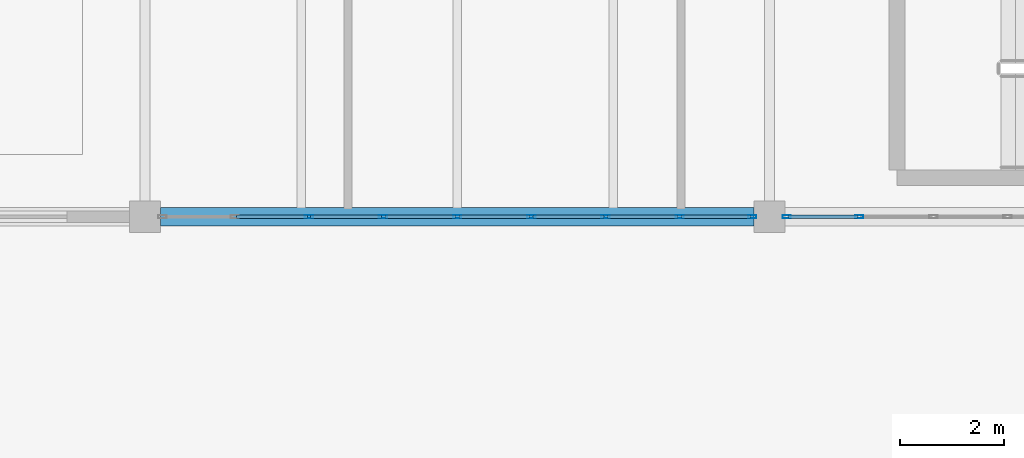
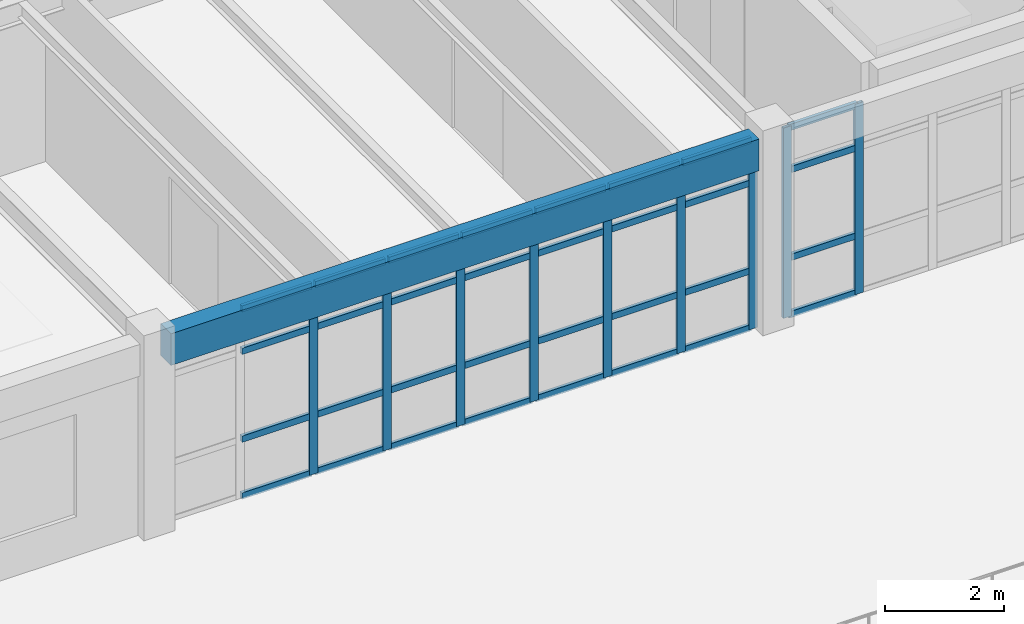
# One storey, part 2 of 37: 41 members, 1 beam, 2 elements without a shape of their own.
"""IFC4 building model written with IfcOpenShell, lengths in metres."""

from ifc_helpers import new_model, si_unit, direction, frame, origin, origin_2d, place, context, subcontext, project, spatial, rectangle, hollow_rectangle, extrude, material, layer, layer_set, material_profile, profile_set, type_object, element, aggregate, save


model = new_model("IFC4")

# Units and contexts
model_context = context("Model", 3, precision=1e-05, world=origin(), true_north=direction((0.0, 1.0)))
body_context = subcontext(model_context, "Body", "Model", "MODEL_VIEW")
ifc_project = project(units=[si_unit("LENGTHUNIT", "METRE"), si_unit("AREAUNIT", "SQUARE_METRE"), si_unit("VOLUMEUNIT", "CUBIC_METRE"), si_unit("PLANEANGLEUNIT", "RADIAN"), si_unit("MASSUNIT", "GRAM", prefix="KILO")], contexts=[model_context])

# Site, building, storey
site_placement = place(None, origin())
site = spatial("IfcSite", under=ifc_project, at=site_placement, CompositionType="ELEMENT")
building_placement = place(site_placement, origin())
building = spatial("IfcBuilding", under=site, at=building_placement, Name="Pandanus Reach Market Hall", CompositionType="ELEMENT")
storey_placement = place(building_placement, frame((0.0, 0.0, 14.39990234375)))
storey = spatial("IfcBuildingStorey", under=building, at=storey_placement, Name="L03", CompositionType="ELEMENT", Elevation=14.39990234375)

# Beam
ifc_material_1 = material(Name="Concrete N40 (40 MPa)", Category="concrete")
ifc_material_profile_1 = material_profile(ifc_material_1, rectangle(XDim=0.35009765625, YDim=0.64990234375, at=origin_2d()), Name="RC350x650", Category="LoadBearing")
ifc_profile_set_1 = profile_set([ifc_material_profile_1], Name="Concrete N40 (40 MPa)")
beam_type = type_object("IfcBeamType", Name="BM-RC350-E", PredefinedType="SPANDREL", material=ifc_profile_set_1)
beam_placement = place(storey_placement, frame((156.298095703125, 28.800048828125, 3.635009765625), z_axis=(1.0, 0.0, 0.0), x_axis=(0.0, 1.0, 0.0)))
element("IfcBeam", 1, at=beam_placement, inside=storey, type_object=beam_type, Name="Framing beam BM-RC350-E L03.537", PredefinedType="SPANDREL", context=body_context, shape_type="SweptSolid", body=[
    extrude(rectangle(XDim=0.35009765625, YDim=0.64990234375, at=origin_2d()), origin(), (0.0, 0.0, 1.0), 11.40380859375),
])

# Curtain wall, members
ifc_material_2 = material(Name="Bronze anodised aluminium and low-E glass", Category="aluminium")
ifc_layer = layer(ifc_material_2, 0.159912109375, Name="CW-30")
ifc_layer_set = layer_set([ifc_layer], Name="Bronze anodised aluminium and low-E glass")
curtain_wall_type = type_object("IfcCurtainWallType", Name="CW-30", PredefinedType="NOTDEFINED", material=ifc_layer_set)
curtain_wall_1_placement = place(storey_placement, origin())
curtain_wall_1 = element("IfcCurtainWall", 2, at=curtain_wall_1_placement, inside=storey, type_object=curtain_wall_type, Name="Glazed curtain wall CW-30 CW-0116", PredefinedType="NOTDEFINED")
ifc_material_3 = material(Name="Bronze anodised aluminium", Category="aluminium")
ifc_material_profile_2 = material_profile(ifc_material_3, hollow_rectangle(XDim=0.06494140625, YDim=0.159912109375, WallThickness=0.00390625, at=origin_2d()), Name="ALU65x160", Category="LoadBearing")
ifc_profile_set_2 = profile_set([ifc_material_profile_2], Name="Bronze anodised aluminium")
member_type_1 = type_object("IfcMemberType", Name="CW-M1", PredefinedType="MULLION", material=ifc_profile_set_2)
member_1_placement = place(storey_placement, frame((159.14990234375, 28.800048828125, 0.0), z_axis=(0.0, 0.0, 1.0), x_axis=(0.0, 1.0, 0.0)))
member_1 = element("IfcMember", 3, at=member_1_placement, type_object=member_type_1, Name="CW-30 mullion 3", PredefinedType="MULLION", context=body_context, shape_type="SweptSolid", body=[
    extrude(hollow_rectangle(XDim=0.06494140625, YDim=0.159912109375, WallThickness=0.00390625, at=origin_2d()), origin(), (0.0, 0.0, 1.0), 3.900146484375),
])
member_2_placement = place(storey_placement, frame((160.574951171875, 28.800048828125, 0.0), z_axis=(0.0, 0.0, 1.0), x_axis=(0.0, 1.0, 0.0)))
member_2 = element("IfcMember", 4, at=member_2_placement, type_object=member_type_1, Name="CW-30 mullion 4", PredefinedType="MULLION", context=body_context, shape_type="SweptSolid", body=[
    extrude(hollow_rectangle(XDim=0.06494140625, YDim=0.159912109375, WallThickness=0.00390625, at=origin_2d()), origin(), (0.0, 0.0, 1.0), 3.900146484375),
])
member_3_placement = place(storey_placement, frame((162.0, 28.800048828125, 0.0), z_axis=(0.0, 0.0, 1.0), x_axis=(0.0, 1.0, 0.0)))
member_3 = element("IfcMember", 5, at=member_3_placement, type_object=member_type_1, Name="CW-30 mullion 5", PredefinedType="MULLION", context=body_context, shape_type="SweptSolid", body=[
    extrude(hollow_rectangle(XDim=0.06494140625, YDim=0.159912109375, WallThickness=0.00390625, at=origin_2d()), origin(), (0.0, 0.0, 1.0), 3.900146484375),
])
member_4_placement = place(storey_placement, frame((163.425048828125, 28.800048828125, 0.0), z_axis=(0.0, 0.0, 1.0), x_axis=(0.0, 1.0, 0.0)))
member_4 = element("IfcMember", 6, at=member_4_placement, type_object=member_type_1, Name="CW-30 mullion 6", PredefinedType="MULLION", context=body_context, shape_type="SweptSolid", body=[
    extrude(hollow_rectangle(XDim=0.06494140625, YDim=0.159912109375, WallThickness=0.00390625, at=origin_2d()), origin(), (0.0, 0.0, 1.0), 3.900146484375),
])
member_5_placement = place(storey_placement, frame((164.85009765625, 28.800048828125, 0.0), z_axis=(0.0, 0.0, 1.0), x_axis=(0.0, 1.0, 0.0)))
member_5 = element("IfcMember", 7, at=member_5_placement, type_object=member_type_1, Name="CW-30 mullion 7", PredefinedType="MULLION", context=body_context, shape_type="SweptSolid", body=[
    extrude(hollow_rectangle(XDim=0.06494140625, YDim=0.159912109375, WallThickness=0.00390625, at=origin_2d()), origin(), (0.0, 0.0, 1.0), 3.900146484375),
])
member_6_placement = place(storey_placement, frame((166.27490234375, 28.800048828125, 0.0), z_axis=(0.0, 0.0, 1.0), x_axis=(0.0, 1.0, 0.0)))
member_6 = element("IfcMember", 8, at=member_6_placement, type_object=member_type_1, Name="CW-30 mullion 8", PredefinedType="MULLION", context=body_context, shape_type="SweptSolid", body=[
    extrude(hollow_rectangle(XDim=0.06494140625, YDim=0.159912109375, WallThickness=0.00390625, at=origin_2d()), origin(), (0.0, 0.0, 1.0), 3.900146484375),
])
member_7_placement = place(storey_placement, frame((167.66748046875, 28.800048828125, 0.0), z_axis=(0.0, 0.0, 1.0), x_axis=(0.0, 1.0, 0.0)))
member_7 = element("IfcMember", 9, at=member_7_placement, type_object=member_type_1, Name="CW-30 mullion 9", PredefinedType="MULLION", context=body_context, shape_type="SweptSolid", body=[
    extrude(hollow_rectangle(XDim=0.06494140625, YDim=0.159912109375, WallThickness=0.00390625, at=origin_2d()), origin(), (0.0, 0.0, 1.0), 3.900146484375),
])

curtain_wall_2_placement = place(storey_placement, origin())
curtain_wall_2 = element("IfcCurtainWall", 10, at=curtain_wall_2_placement, inside=storey, type_object=curtain_wall_type, Name="Glazed curtain wall CW-30 CW-0117", PredefinedType="NOTDEFINED")
member_8_placement = place(storey_placement, frame((168.33251953125, 28.800048828125, 0.0), z_axis=(0.0, 0.0, 1.0), x_axis=(0.0, 1.0, 0.0)))
member_8 = element("IfcMember", 11, at=member_8_placement, type_object=member_type_1, Name="CW-30 mullion 1", PredefinedType="MULLION", context=body_context, shape_type="SweptSolid", body=[
    extrude(hollow_rectangle(XDim=0.06494140625, YDim=0.159912109375, WallThickness=0.00390625, at=origin_2d()), origin(), (0.0, 0.0, 1.0), 3.900146484375),
])
member_9_placement = place(storey_placement, frame((169.72509765625, 28.800048828125, 0.0), z_axis=(0.0, 0.0, 1.0), x_axis=(0.0, 1.0, 0.0)))
member_9 = element("IfcMember", 12, at=member_9_placement, type_object=member_type_1, Name="CW-30 mullion 2", PredefinedType="MULLION", context=body_context, shape_type="SweptSolid", body=[
    extrude(hollow_rectangle(XDim=0.06494140625, YDim=0.159912109375, WallThickness=0.00390625, at=origin_2d()), origin(), (0.0, 0.0, 1.0), 3.900146484375),
])

# Member
ifc_material_profile_3 = material_profile(ifc_material_3, hollow_rectangle(XDim=0.06494140625, YDim=0.1298828125, WallThickness=0.00390625, at=origin_2d()), Name="ALU65x130", Category="LoadBearing")
ifc_profile_set_3 = profile_set([ifc_material_profile_3], Name="Bronze anodised aluminium")
member_type_2 = type_object("IfcMemberType", Name="CW-T1", PredefinedType="USERDEFINED", material=ifc_profile_set_3)
member_10_placement = place(storey_placement, frame((157.757568359375, 28.800048828125, 0.03271484375), z_axis=(1.0, 0.0, 0.0), x_axis=(0.0, 1.0, 0.0)))
member_10 = element("IfcMember", 13, at=member_10_placement, type_object=member_type_2, Name="CW-30 transom 2.1", ObjectType="TRANSOM", PredefinedType="USERDEFINED", context=body_context, shape_type="SweptSolid", body=[
    extrude(hollow_rectangle(XDim=0.06494140625, YDim=0.1298828125, WallThickness=0.00390625, at=origin_2d()), origin(), (0.0, 0.0, 1.0), 1.35986328125),
])

member_11_placement = place(storey_placement, frame((157.757568359375, 28.800048828125, 1.2001953125), z_axis=(1.0, 0.0, 0.0), x_axis=(0.0, 1.0, 0.0)))
member_11 = element("IfcMember", 14, at=member_11_placement, type_object=member_type_2, Name="CW-30 transom 2.2", ObjectType="TRANSOM", PredefinedType="USERDEFINED", context=body_context, shape_type="SweptSolid", body=[
    extrude(hollow_rectangle(XDim=0.06494140625, YDim=0.1298828125, WallThickness=0.00390625, at=origin_2d()), origin(), (0.0, 0.0, 1.0), 1.35986328125),
])

member_12_placement = place(storey_placement, frame((157.757568359375, 28.800048828125, 3.0), z_axis=(1.0, 0.0, 0.0), x_axis=(0.0, 1.0, 0.0)))
member_12 = element("IfcMember", 15, at=member_12_placement, type_object=member_type_2, Name="CW-30 transom 2.3", ObjectType="TRANSOM", PredefinedType="USERDEFINED", context=body_context, shape_type="SweptSolid", body=[
    extrude(hollow_rectangle(XDim=0.06494140625, YDim=0.1298828125, WallThickness=0.00390625, at=origin_2d()), origin(), (0.0, 0.0, 1.0), 1.35986328125),
])

member_13_placement = place(storey_placement, frame((157.757568359375, 28.800048828125, 3.86767578125), z_axis=(1.0, 0.0, 0.0), x_axis=(0.0, 1.0, 0.0)))
member_13 = element("IfcMember", 16, at=member_13_placement, type_object=member_type_2, Name="CW-30 transom 2.4", ObjectType="TRANSOM", PredefinedType="USERDEFINED", context=body_context, shape_type="SweptSolid", body=[
    extrude(hollow_rectangle(XDim=0.06494140625, YDim=0.1298828125, WallThickness=0.00390625, at=origin_2d()), origin(), (0.0, 0.0, 1.0), 1.35986328125),
])

member_14_placement = place(storey_placement, frame((159.1826171875, 28.800048828125, 0.03271484375), z_axis=(1.0, 0.0, 0.0), x_axis=(0.0, 1.0, 0.0)))
member_14 = element("IfcMember", 17, at=member_14_placement, type_object=member_type_2, Name="CW-30 transom 3.1", ObjectType="TRANSOM", PredefinedType="USERDEFINED", context=body_context, shape_type="SweptSolid", body=[
    extrude(hollow_rectangle(XDim=0.06494140625, YDim=0.1298828125, WallThickness=0.00390625, at=origin_2d()), origin(), (0.0, 0.0, 1.0), 1.35986328125),
])

member_15_placement = place(storey_placement, frame((159.1826171875, 28.800048828125, 1.2001953125), z_axis=(1.0, 0.0, 0.0), x_axis=(0.0, 1.0, 0.0)))
member_15 = element("IfcMember", 18, at=member_15_placement, type_object=member_type_2, Name="CW-30 transom 3.2", ObjectType="TRANSOM", PredefinedType="USERDEFINED", context=body_context, shape_type="SweptSolid", body=[
    extrude(hollow_rectangle(XDim=0.06494140625, YDim=0.1298828125, WallThickness=0.00390625, at=origin_2d()), origin(), (0.0, 0.0, 1.0), 1.35986328125),
])

member_16_placement = place(storey_placement, frame((159.1826171875, 28.800048828125, 3.0), z_axis=(1.0, 0.0, 0.0), x_axis=(0.0, 1.0, 0.0)))
member_16 = element("IfcMember", 19, at=member_16_placement, type_object=member_type_2, Name="CW-30 transom 3.3", ObjectType="TRANSOM", PredefinedType="USERDEFINED", context=body_context, shape_type="SweptSolid", body=[
    extrude(hollow_rectangle(XDim=0.06494140625, YDim=0.1298828125, WallThickness=0.00390625, at=origin_2d()), origin(), (0.0, 0.0, 1.0), 1.35986328125),
])

member_17_placement = place(storey_placement, frame((159.1826171875, 28.800048828125, 3.86767578125), z_axis=(1.0, 0.0, 0.0), x_axis=(0.0, 1.0, 0.0)))
member_17 = element("IfcMember", 20, at=member_17_placement, type_object=member_type_2, Name="CW-30 transom 3.4", ObjectType="TRANSOM", PredefinedType="USERDEFINED", context=body_context, shape_type="SweptSolid", body=[
    extrude(hollow_rectangle(XDim=0.06494140625, YDim=0.1298828125, WallThickness=0.00390625, at=origin_2d()), origin(), (0.0, 0.0, 1.0), 1.35986328125),
])

member_18_placement = place(storey_placement, frame((160.607421875, 28.800048828125, 0.03271484375), z_axis=(1.0, 0.0, 0.0), x_axis=(0.0, 1.0, 0.0)))
member_18 = element("IfcMember", 21, at=member_18_placement, type_object=member_type_2, Name="CW-30 transom 4.1", ObjectType="TRANSOM", PredefinedType="USERDEFINED", context=body_context, shape_type="SweptSolid", body=[
    extrude(hollow_rectangle(XDim=0.06494140625, YDim=0.1298828125, WallThickness=0.00390625, at=origin_2d()), origin(), (0.0, 0.0, 1.0), 1.360107421875),
])

member_19_placement = place(storey_placement, frame((160.607421875, 28.800048828125, 1.2001953125), z_axis=(1.0, 0.0, 0.0), x_axis=(0.0, 1.0, 0.0)))
member_19 = element("IfcMember", 22, at=member_19_placement, type_object=member_type_2, Name="CW-30 transom 4.2", ObjectType="TRANSOM", PredefinedType="USERDEFINED", context=body_context, shape_type="SweptSolid", body=[
    extrude(hollow_rectangle(XDim=0.06494140625, YDim=0.1298828125, WallThickness=0.00390625, at=origin_2d()), origin(), (0.0, 0.0, 1.0), 1.360107421875),
])

member_20_placement = place(storey_placement, frame((160.607421875, 28.800048828125, 3.0), z_axis=(1.0, 0.0, 0.0), x_axis=(0.0, 1.0, 0.0)))
member_20 = element("IfcMember", 23, at=member_20_placement, type_object=member_type_2, Name="CW-30 transom 4.3", ObjectType="TRANSOM", PredefinedType="USERDEFINED", context=body_context, shape_type="SweptSolid", body=[
    extrude(hollow_rectangle(XDim=0.06494140625, YDim=0.1298828125, WallThickness=0.00390625, at=origin_2d()), origin(), (0.0, 0.0, 1.0), 1.360107421875),
])

member_21_placement = place(storey_placement, frame((160.607421875, 28.800048828125, 3.86767578125), z_axis=(1.0, 0.0, 0.0), x_axis=(0.0, 1.0, 0.0)))
member_21 = element("IfcMember", 24, at=member_21_placement, type_object=member_type_2, Name="CW-30 transom 4.4", ObjectType="TRANSOM", PredefinedType="USERDEFINED", context=body_context, shape_type="SweptSolid", body=[
    extrude(hollow_rectangle(XDim=0.06494140625, YDim=0.1298828125, WallThickness=0.00390625, at=origin_2d()), origin(), (0.0, 0.0, 1.0), 1.360107421875),
])

member_22_placement = place(storey_placement, frame((162.032470703125, 28.800048828125, 0.03271484375), z_axis=(1.0, 0.0, 0.0), x_axis=(0.0, 1.0, 0.0)))
member_22 = element("IfcMember", 25, at=member_22_placement, type_object=member_type_2, Name="CW-30 transom 5.1", ObjectType="TRANSOM", PredefinedType="USERDEFINED", context=body_context, shape_type="SweptSolid", body=[
    extrude(hollow_rectangle(XDim=0.06494140625, YDim=0.1298828125, WallThickness=0.00390625, at=origin_2d()), origin(), (0.0, 0.0, 1.0), 1.360107421875),
])

member_23_placement = place(storey_placement, frame((162.032470703125, 28.800048828125, 1.2001953125), z_axis=(1.0, 0.0, 0.0), x_axis=(0.0, 1.0, 0.0)))
member_23 = element("IfcMember", 26, at=member_23_placement, type_object=member_type_2, Name="CW-30 transom 5.2", ObjectType="TRANSOM", PredefinedType="USERDEFINED", context=body_context, shape_type="SweptSolid", body=[
    extrude(hollow_rectangle(XDim=0.06494140625, YDim=0.1298828125, WallThickness=0.00390625, at=origin_2d()), origin(), (0.0, 0.0, 1.0), 1.360107421875),
])

member_24_placement = place(storey_placement, frame((162.032470703125, 28.800048828125, 3.0), z_axis=(1.0, 0.0, 0.0), x_axis=(0.0, 1.0, 0.0)))
member_24 = element("IfcMember", 27, at=member_24_placement, type_object=member_type_2, Name="CW-30 transom 5.3", ObjectType="TRANSOM", PredefinedType="USERDEFINED", context=body_context, shape_type="SweptSolid", body=[
    extrude(hollow_rectangle(XDim=0.06494140625, YDim=0.1298828125, WallThickness=0.00390625, at=origin_2d()), origin(), (0.0, 0.0, 1.0), 1.360107421875),
])

member_25_placement = place(storey_placement, frame((162.032470703125, 28.800048828125, 3.86767578125), z_axis=(1.0, 0.0, 0.0), x_axis=(0.0, 1.0, 0.0)))
member_25 = element("IfcMember", 28, at=member_25_placement, type_object=member_type_2, Name="CW-30 transom 5.4", ObjectType="TRANSOM", PredefinedType="USERDEFINED", context=body_context, shape_type="SweptSolid", body=[
    extrude(hollow_rectangle(XDim=0.06494140625, YDim=0.1298828125, WallThickness=0.00390625, at=origin_2d()), origin(), (0.0, 0.0, 1.0), 1.360107421875),
])

member_26_placement = place(storey_placement, frame((163.45751953125, 28.800048828125, 0.03271484375), z_axis=(1.0, 0.0, 0.0), x_axis=(0.0, 1.0, 0.0)))
member_26 = element("IfcMember", 29, at=member_26_placement, type_object=member_type_2, Name="CW-30 transom 6.1", ObjectType="TRANSOM", PredefinedType="USERDEFINED", context=body_context, shape_type="SweptSolid", body=[
    extrude(hollow_rectangle(XDim=0.06494140625, YDim=0.1298828125, WallThickness=0.00390625, at=origin_2d()), origin(), (0.0, 0.0, 1.0), 1.35986328125),
])

member_27_placement = place(storey_placement, frame((163.45751953125, 28.800048828125, 1.2001953125), z_axis=(1.0, 0.0, 0.0), x_axis=(0.0, 1.0, 0.0)))
member_27 = element("IfcMember", 30, at=member_27_placement, type_object=member_type_2, Name="CW-30 transom 6.2", ObjectType="TRANSOM", PredefinedType="USERDEFINED", context=body_context, shape_type="SweptSolid", body=[
    extrude(hollow_rectangle(XDim=0.06494140625, YDim=0.1298828125, WallThickness=0.00390625, at=origin_2d()), origin(), (0.0, 0.0, 1.0), 1.35986328125),
])

member_28_placement = place(storey_placement, frame((163.45751953125, 28.800048828125, 3.0), z_axis=(1.0, 0.0, 0.0), x_axis=(0.0, 1.0, 0.0)))
member_28 = element("IfcMember", 31, at=member_28_placement, type_object=member_type_2, Name="CW-30 transom 6.3", ObjectType="TRANSOM", PredefinedType="USERDEFINED", context=body_context, shape_type="SweptSolid", body=[
    extrude(hollow_rectangle(XDim=0.06494140625, YDim=0.1298828125, WallThickness=0.00390625, at=origin_2d()), origin(), (0.0, 0.0, 1.0), 1.35986328125),
])

member_29_placement = place(storey_placement, frame((163.45751953125, 28.800048828125, 3.86767578125), z_axis=(1.0, 0.0, 0.0), x_axis=(0.0, 1.0, 0.0)))
member_29 = element("IfcMember", 32, at=member_29_placement, type_object=member_type_2, Name="CW-30 transom 6.4", ObjectType="TRANSOM", PredefinedType="USERDEFINED", context=body_context, shape_type="SweptSolid", body=[
    extrude(hollow_rectangle(XDim=0.06494140625, YDim=0.1298828125, WallThickness=0.00390625, at=origin_2d()), origin(), (0.0, 0.0, 1.0), 1.35986328125),
])

member_30_placement = place(storey_placement, frame((164.882568359375, 28.800048828125, 0.03271484375), z_axis=(1.0, 0.0, 0.0), x_axis=(0.0, 1.0, 0.0)))
member_30 = element("IfcMember", 33, at=member_30_placement, type_object=member_type_2, Name="CW-30 transom 7.1", ObjectType="TRANSOM", PredefinedType="USERDEFINED", context=body_context, shape_type="SweptSolid", body=[
    extrude(hollow_rectangle(XDim=0.06494140625, YDim=0.1298828125, WallThickness=0.00390625, at=origin_2d()), origin(), (0.0, 0.0, 1.0), 1.35986328125),
])

member_31_placement = place(storey_placement, frame((164.882568359375, 28.800048828125, 1.2001953125), z_axis=(1.0, 0.0, 0.0), x_axis=(0.0, 1.0, 0.0)))
member_31 = element("IfcMember", 34, at=member_31_placement, type_object=member_type_2, Name="CW-30 transom 7.2", ObjectType="TRANSOM", PredefinedType="USERDEFINED", context=body_context, shape_type="SweptSolid", body=[
    extrude(hollow_rectangle(XDim=0.06494140625, YDim=0.1298828125, WallThickness=0.00390625, at=origin_2d()), origin(), (0.0, 0.0, 1.0), 1.35986328125),
])

member_32_placement = place(storey_placement, frame((164.882568359375, 28.800048828125, 3.0), z_axis=(1.0, 0.0, 0.0), x_axis=(0.0, 1.0, 0.0)))
member_32 = element("IfcMember", 35, at=member_32_placement, type_object=member_type_2, Name="CW-30 transom 7.3", ObjectType="TRANSOM", PredefinedType="USERDEFINED", context=body_context, shape_type="SweptSolid", body=[
    extrude(hollow_rectangle(XDim=0.06494140625, YDim=0.1298828125, WallThickness=0.00390625, at=origin_2d()), origin(), (0.0, 0.0, 1.0), 1.35986328125),
])

member_33_placement = place(storey_placement, frame((164.882568359375, 28.800048828125, 3.86767578125), z_axis=(1.0, 0.0, 0.0), x_axis=(0.0, 1.0, 0.0)))
member_33 = element("IfcMember", 36, at=member_33_placement, type_object=member_type_2, Name="CW-30 transom 7.4", ObjectType="TRANSOM", PredefinedType="USERDEFINED", context=body_context, shape_type="SweptSolid", body=[
    extrude(hollow_rectangle(XDim=0.06494140625, YDim=0.1298828125, WallThickness=0.00390625, at=origin_2d()), origin(), (0.0, 0.0, 1.0), 1.35986328125),
])

member_34_placement = place(storey_placement, frame((166.3076171875, 28.800048828125, 0.03271484375), z_axis=(1.0, 0.0, 0.0), x_axis=(0.0, 1.0, 0.0)))
member_34 = element("IfcMember", 37, at=member_34_placement, type_object=member_type_2, Name="CW-30 transom 8.1", ObjectType="TRANSOM", PredefinedType="USERDEFINED", context=body_context, shape_type="SweptSolid", body=[
    extrude(hollow_rectangle(XDim=0.06494140625, YDim=0.1298828125, WallThickness=0.00390625, at=origin_2d()), origin(), (0.0, 0.0, 1.0), 1.327392578125),
])

member_35_placement = place(storey_placement, frame((166.3076171875, 28.800048828125, 1.2001953125), z_axis=(1.0, 0.0, 0.0), x_axis=(0.0, 1.0, 0.0)))
member_35 = element("IfcMember", 38, at=member_35_placement, type_object=member_type_2, Name="CW-30 transom 8.2", ObjectType="TRANSOM", PredefinedType="USERDEFINED", context=body_context, shape_type="SweptSolid", body=[
    extrude(hollow_rectangle(XDim=0.06494140625, YDim=0.1298828125, WallThickness=0.00390625, at=origin_2d()), origin(), (0.0, 0.0, 1.0), 1.327392578125),
])

member_36_placement = place(storey_placement, frame((166.3076171875, 28.800048828125, 3.0), z_axis=(1.0, 0.0, 0.0), x_axis=(0.0, 1.0, 0.0)))
member_36 = element("IfcMember", 39, at=member_36_placement, type_object=member_type_2, Name="CW-30 transom 8.3", ObjectType="TRANSOM", PredefinedType="USERDEFINED", context=body_context, shape_type="SweptSolid", body=[
    extrude(hollow_rectangle(XDim=0.06494140625, YDim=0.1298828125, WallThickness=0.00390625, at=origin_2d()), origin(), (0.0, 0.0, 1.0), 1.327392578125),
])

member_37_placement = place(storey_placement, frame((166.3076171875, 28.800048828125, 3.86767578125), z_axis=(1.0, 0.0, 0.0), x_axis=(0.0, 1.0, 0.0)))
member_37 = element("IfcMember", 40, at=member_37_placement, type_object=member_type_2, Name="CW-30 transom 8.4", ObjectType="TRANSOM", PredefinedType="USERDEFINED", context=body_context, shape_type="SweptSolid", body=[
    extrude(hollow_rectangle(XDim=0.06494140625, YDim=0.1298828125, WallThickness=0.00390625, at=origin_2d()), origin(), (0.0, 0.0, 1.0), 1.327392578125),
])

aggregate(curtain_wall_1, [member_1, member_2, member_3, member_4, member_5, member_6, member_7, member_10, member_11, member_12, member_13, member_14, member_15, member_16, member_17, member_18, member_19, member_20, member_21, member_22, member_23, member_24, member_25, member_26, member_27, member_28, member_29, member_30, member_31, member_32, member_33, member_34, member_35, member_36, member_37])

member_38_placement = place(storey_placement, frame((168.364990234375, 28.800048828125, 0.03271484375), z_axis=(1.0, 0.0, 0.0), x_axis=(0.0, 1.0, 0.0)))
member_38 = element("IfcMember", 41, at=member_38_placement, type_object=member_type_2, Name="CW-30 transom 1.1", ObjectType="TRANSOM", PredefinedType="USERDEFINED", context=body_context, shape_type="SweptSolid", body=[
    extrude(hollow_rectangle(XDim=0.06494140625, YDim=0.1298828125, WallThickness=0.00390625, at=origin_2d()), origin(), (0.0, 0.0, 1.0), 1.327392578125),
])

member_39_placement = place(storey_placement, frame((168.364990234375, 28.800048828125, 1.2001953125), z_axis=(1.0, 0.0, 0.0), x_axis=(0.0, 1.0, 0.0)))
member_39 = element("IfcMember", 42, at=member_39_placement, type_object=member_type_2, Name="CW-30 transom 1.2", ObjectType="TRANSOM", PredefinedType="USERDEFINED", context=body_context, shape_type="SweptSolid", body=[
    extrude(hollow_rectangle(XDim=0.06494140625, YDim=0.1298828125, WallThickness=0.00390625, at=origin_2d()), origin(), (0.0, 0.0, 1.0), 1.327392578125),
])

member_40_placement = place(storey_placement, frame((168.364990234375, 28.800048828125, 3.0), z_axis=(1.0, 0.0, 0.0), x_axis=(0.0, 1.0, 0.0)))
member_40 = element("IfcMember", 43, at=member_40_placement, type_object=member_type_2, Name="CW-30 transom 1.3", ObjectType="TRANSOM", PredefinedType="USERDEFINED", context=body_context, shape_type="SweptSolid", body=[
    extrude(hollow_rectangle(XDim=0.06494140625, YDim=0.1298828125, WallThickness=0.00390625, at=origin_2d()), origin(), (0.0, 0.0, 1.0), 1.327392578125),
])

member_41_placement = place(storey_placement, frame((168.364990234375, 28.800048828125, 3.86767578125), z_axis=(1.0, 0.0, 0.0), x_axis=(0.0, 1.0, 0.0)))
member_41 = element("IfcMember", 44, at=member_41_placement, type_object=member_type_2, Name="CW-30 transom 1.4", ObjectType="TRANSOM", PredefinedType="USERDEFINED", context=body_context, shape_type="SweptSolid", body=[
    extrude(hollow_rectangle(XDim=0.06494140625, YDim=0.1298828125, WallThickness=0.00390625, at=origin_2d()), origin(), (0.0, 0.0, 1.0), 1.327392578125),
])

aggregate(curtain_wall_2, [member_8, member_9, member_38, member_39, member_40, member_41])

save(model, "model.ifc")
